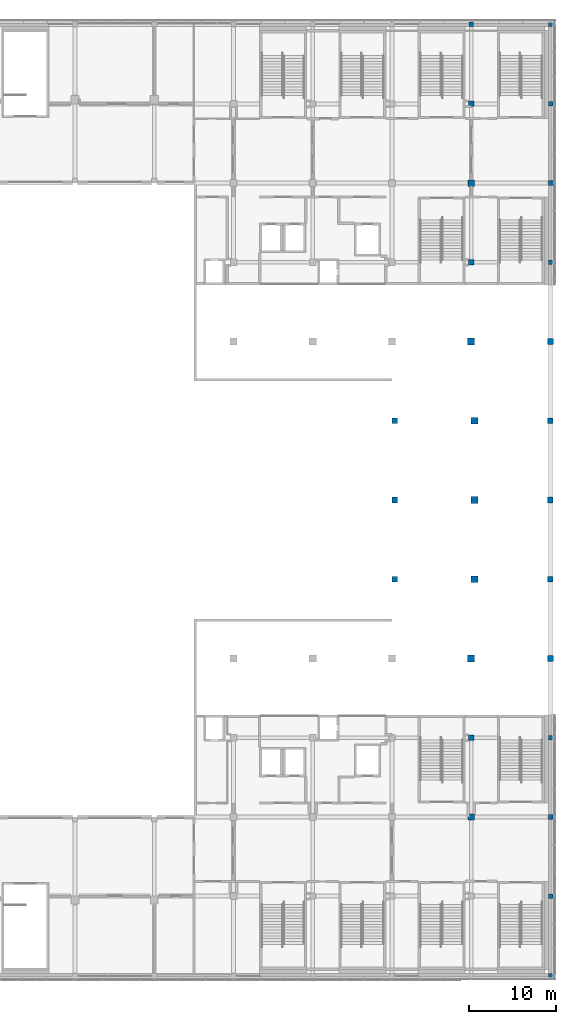
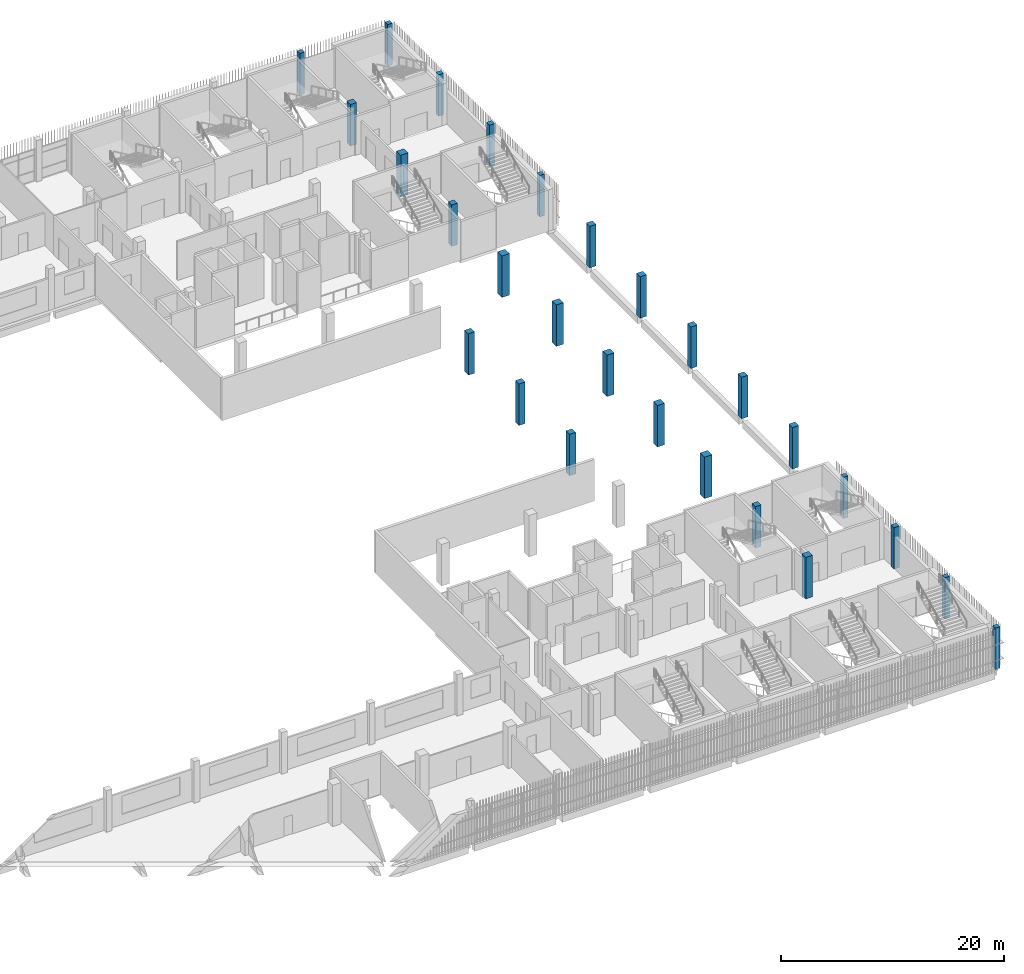
# One storey, part 2 of 104: 27 columns.
"""IFC4 building model written with IfcOpenShell, lengths in metres."""

from ifc_helpers import new_model, si_unit, direction, frame, origin, origin_2d, place, context, subcontext, project, spatial, rectangle, extrude, material, material_profile, profile_set, type_object, element, save


model = new_model("IFC4")

# Units and contexts
model_context = context("Model", 3, precision=1e-05, world=origin(), true_north=direction((0.0, 1.0)))
body_context = subcontext(model_context, "Body", "Model", "MODEL_VIEW")
ifc_project = project(units=[si_unit("LENGTHUNIT", "METRE"), si_unit("AREAUNIT", "SQUARE_METRE"), si_unit("VOLUMEUNIT", "CUBIC_METRE"), si_unit("PLANEANGLEUNIT", "RADIAN"), si_unit("MASSUNIT", "GRAM", prefix="KILO")], contexts=[model_context])

# Site, building, storey
site_placement = place(None, origin())
site = spatial("IfcSite", under=ifc_project, at=site_placement, CompositionType="ELEMENT")
building_placement = place(site_placement, origin())
building = spatial("IfcBuilding", under=site, at=building_placement, Name="Shirokan Park Arena", CompositionType="ELEMENT")
storey_placement = place(building_placement, frame((0.0, 0.0, 10.919921875)))
storey = spatial("IfcBuildingStorey", under=building, at=storey_placement, Name="L02", CompositionType="ELEMENT", Elevation=10.919921875)

# Columns
ifc_material = material(Name="Concrete C35", Category="concrete")
ifc_material_profile_1 = material_profile(ifc_material, rectangle(XDim=0.5, YDim=0.5, at=origin_2d()), Name="500x500")
ifc_profile_set_1 = profile_set([ifc_material_profile_1], Name="Concrete C35")
column_type_1 = type_object("IfcColumnType", Name="RC column 500x500", PredefinedType="COLUMN", material=ifc_profile_set_1)
for number, where, z_axis, x_axis, name in (
    (1, (136.5, 109.22509765625, 0.0), (0.0, 0.0, 1.0), (1.0, 0.0, 0.0), "Column 16N L02"),
    (2, (145.60009765625, 0.0, 0.0), (0.0, 0.0, 1.0), (1.0, 0.0, 0.0), "Column 17A L02"),
    (3, (145.625, 9.10009765625, 0.0), (0.0, 0.0, 1.0), (1.0, 0.0, 0.0), "Column 17B L02"),
    (4, (145.60009765625, 27.300048828125, 0.0), (0.0, 0.0, 1.0), (1.0, 0.0, 0.0), "Column 17D L02"),
    (5, (145.60009765625, 81.89990234375, 0.0), (0.0, 0.0, 1.0), (1.0, 0.0, 0.0), "Column 17K L02"),
    (6, (145.625, 100.10009765625, 0.0), (0.0, 0.0, 1.0), (1.0, 0.0, 0.0), "Column 17M L02"),
    (7, (145.60009765625, 109.199951171875, 0.0), (0.0, 0.0, 1.0), (1.0, 0.0, 0.0), "Column 17N L02"),
):
    element("IfcColumn", number, at=place(storey_placement, frame(where, z_axis=z_axis, x_axis=x_axis)), inside=storey, type_object=column_type_1, Name=name, PredefinedType="COLUMN", context=body_context, shape_type="SweptSolid", body=[
        extrude(rectangle(XDim=0.5, YDim=0.5, at=origin_2d()), origin(), (0.0, 0.0, 1.0), 4.550048828125),
    ])
ifc_material_profile_2 = material_profile(ifc_material, rectangle(XDim=0.550048828125, YDim=0.550048828125, at=origin_2d()), Name="550x550")
ifc_profile_set_2 = profile_set([ifc_material_profile_2], Name="Concrete C35")
column_type_2 = type_object("IfcColumnType", Name="RC column 550x550", PredefinedType="COLUMN", material=ifc_profile_set_2)
for number, where, z_axis, x_axis, name in (
    (8, (145.625, 18.199951171875, 0.0), (0.0, 0.0, 1.0), (1.0, 0.0, 0.0), "Column 17C L02"),
    (9, (145.64990234375, 91.0, 0.0), (0.0, 0.0, 1.0), (1.0, 0.0, 0.0), "Column 17L L02"),
):
    element("IfcColumn", number, at=place(storey_placement, frame(where, z_axis=z_axis, x_axis=x_axis)), inside=storey, type_object=column_type_2, Name=name, PredefinedType="COLUMN", context=body_context, shape_type="SweptSolid", body=[
        extrude(rectangle(XDim=0.550048828125, YDim=0.550048828125, at=origin_2d()), origin(), (0.0, 0.0, 1.0), 4.550048828125),
    ])
ifc_material_profile_3 = material_profile(ifc_material, rectangle(XDim=0.60009765625, YDim=0.60009765625, at=origin_2d()), Name="600x600")
ifc_profile_set_3 = profile_set([ifc_material_profile_3], Name="Concrete C35")
column_type_3 = type_object("IfcColumnType", Name="RC column 600x600", PredefinedType="COLUMN", material=ifc_profile_set_3)
for number, where, z_axis, x_axis, name in (
    (10, (136.5, 27.300048828125, 0.0), (0.0, 0.0, 1.0), (1.0, 0.0, 0.0), "Column 16D L02"),
    (11, (136.5, 81.89990234375, 0.0), (0.0, 0.0, 1.0), (1.0, 0.0, 0.0), "Column 16K L02"),
):
    element("IfcColumn", number, at=place(storey_placement, frame(where, z_axis=z_axis, x_axis=x_axis)), inside=storey, type_object=column_type_3, Name=name, PredefinedType="COLUMN", context=body_context, shape_type="SweptSolid", body=[
        extrude(rectangle(XDim=0.60009765625, YDim=0.60009765625, at=origin_2d()), origin(), (0.0, 0.0, 1.0), 4.550048828125),
    ])
ifc_material_profile_4 = material_profile(ifc_material, rectangle(XDim=0.64990234375, YDim=0.64990234375, at=origin_2d()), Name="650x650")
ifc_profile_set_4 = profile_set([ifc_material_profile_4], Name="Concrete C35")
column_type_4 = type_object("IfcColumnType", Name="RC column 650x650", PredefinedType="COLUMN", material=ifc_profile_set_4)
for number, where, z_axis, x_axis, name in (
    (12, (127.72509765625, 45.5, 0.0), (0.0, 0.0, 1.0), (1.0, 0.0, 0.0), "Column 15F L02"),
    (13, (127.72509765625, 54.60009765625, 0.0), (0.0, 0.0, 1.0), (1.0, 0.0, 0.0), "Column 15G L02"),
    (14, (127.72509765625, 63.699951171875, 0.0), (0.0, 0.0, 1.0), (1.0, 0.0, 0.0), "Column 15H L02"),
    (15, (136.5, 100.10009765625, 0.0), (0.0, 0.0, 1.0), (1.0, 0.0, 0.0), "Column 16M L02"),
    (16, (145.60009765625, 36.39990234375, 0.0), (0.0, 0.0, 1.0), (1.0, 0.0, 0.0), "Column 17E L02"),
    (17, (145.574951171875, 45.5, 0.0), (0.0, 0.0, 1.0), (1.0, 0.0, 0.0), "Column 17F L02"),
    (18, (145.574951171875, 54.60009765625, 0.0), (0.0, 0.0, 1.0), (1.0, 0.0, 0.0), "Column 17G L02"),
    (19, (145.574951171875, 63.699951171875, 0.0), (0.0, 0.0, 1.0), (1.0, 0.0, 0.0), "Column 17H L02"),
    (20, (145.60009765625, 72.800048828125, 0.0), (0.0, 0.0, 1.0), (1.0, 0.0, 0.0), "Column 17J L02"),
):
    element("IfcColumn", number, at=place(storey_placement, frame(where, z_axis=z_axis, x_axis=x_axis)), inside=storey, type_object=column_type_4, Name=name, PredefinedType="COLUMN", context=body_context, shape_type="SweptSolid", body=[
        extrude(rectangle(XDim=0.64990234375, YDim=0.64990234375, at=origin_2d()), origin(), (0.0, 0.0, 1.0), 4.550048828125),
    ])
ifc_material_profile_5 = material_profile(ifc_material, rectangle(XDim=0.699951171875, YDim=0.699951171875, at=origin_2d()), Name="700x700")
ifc_profile_set_5 = profile_set([ifc_material_profile_5], Name="Concrete C35")
column_type_5 = type_object("IfcColumnType", Name="RC column 700x700", PredefinedType="COLUMN", material=ifc_profile_set_5)
column_placement = place(storey_placement, frame((136.5, 18.199951171875, 0.0), z_axis=(0.0, 0.0, 1.0), x_axis=(1.0, 0.0, 0.0)))
element("IfcColumn", 21, at=column_placement, inside=storey, type_object=column_type_5, Name="Column 16C L02", PredefinedType="COLUMN", context=body_context, shape_type="SweptSolid", body=[
    extrude(rectangle(XDim=0.699951171875, YDim=0.699951171875, at=origin_2d()), origin(), (0.0, 0.0, 1.0), 4.550048828125),
])
ifc_material_profile_6 = material_profile(ifc_material, rectangle(XDim=0.75, YDim=0.75, at=origin_2d()), Name="750x750")
ifc_profile_set_6 = profile_set([ifc_material_profile_6], Name="Concrete C35")
column_type_6 = type_object("IfcColumnType", Name="RC column 750x750", PredefinedType="COLUMN", material=ifc_profile_set_6)
for number, where, z_axis, x_axis, name in (
    (22, (136.875, 45.5, 0.0), (0.0, 0.0, 1.0), (1.0, 0.0, 0.0), "Column 16F L02"),
    (23, (136.875, 54.60009765625, 0.0), (0.0, 0.0, 1.0), (1.0, 0.0, 0.0), "Column 16G L02"),
    (24, (136.875, 63.699951171875, 0.0), (0.0, 0.0, 1.0), (1.0, 0.0, 0.0), "Column 16H L02"),
    (25, (136.5, 91.0, 0.0), (0.0, 0.0, 1.0), (1.0, 0.0, 0.0), "Column 16L L02"),
):
    element("IfcColumn", number, at=place(storey_placement, frame(where, z_axis=z_axis, x_axis=x_axis)), inside=storey, type_object=column_type_6, Name=name, PredefinedType="COLUMN", context=body_context, shape_type="SweptSolid", body=[
        extrude(rectangle(XDim=0.75, YDim=0.75, at=origin_2d()), origin(), (0.0, 0.0, 1.0), 4.550048828125),
    ])
ifc_material_profile_7 = material_profile(ifc_material, rectangle(XDim=0.800048828125, YDim=0.800048828125, at=origin_2d()), Name="800x800")
ifc_profile_set_7 = profile_set([ifc_material_profile_7], Name="Concrete C35")
column_type_7 = type_object("IfcColumnType", Name="RC column 800x800", PredefinedType="COLUMN", material=ifc_profile_set_7)
for number, where, z_axis, x_axis, name in (
    (26, (136.5, 36.39990234375, 0.0), (0.0, 0.0, 1.0), (1.0, 0.0, 0.0), "Column 16E L02"),
    (27, (136.5, 72.800048828125, 0.0), (0.0, 0.0, 1.0), (1.0, 0.0, 0.0), "Column 16J L02"),
):
    element("IfcColumn", number, at=place(storey_placement, frame(where, z_axis=z_axis, x_axis=x_axis)), inside=storey, type_object=column_type_7, Name=name, PredefinedType="COLUMN", context=body_context, shape_type="SweptSolid", body=[
        extrude(rectangle(XDim=0.800048828125, YDim=0.800048828125, at=origin_2d()), origin(), (0.0, 0.0, 1.0), 4.550048828125),
    ])

save(model, "model.ifc")
